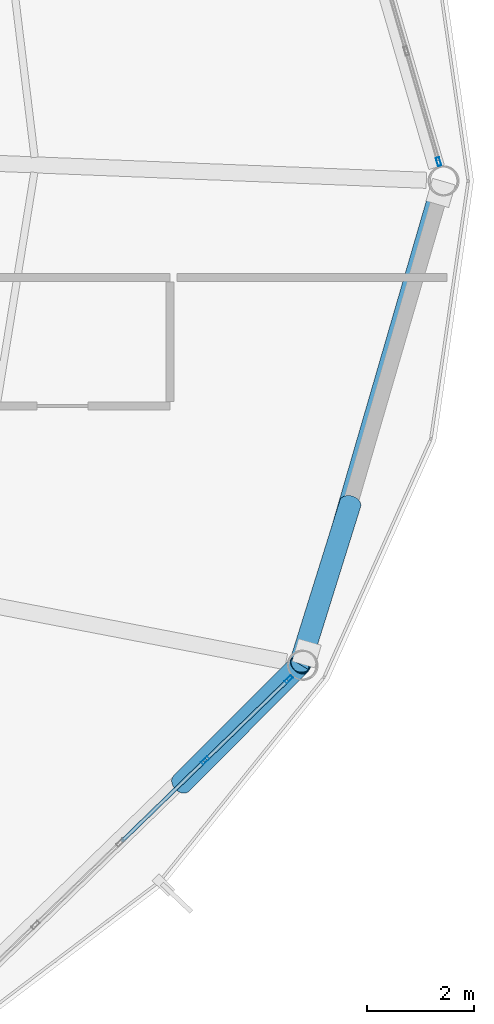
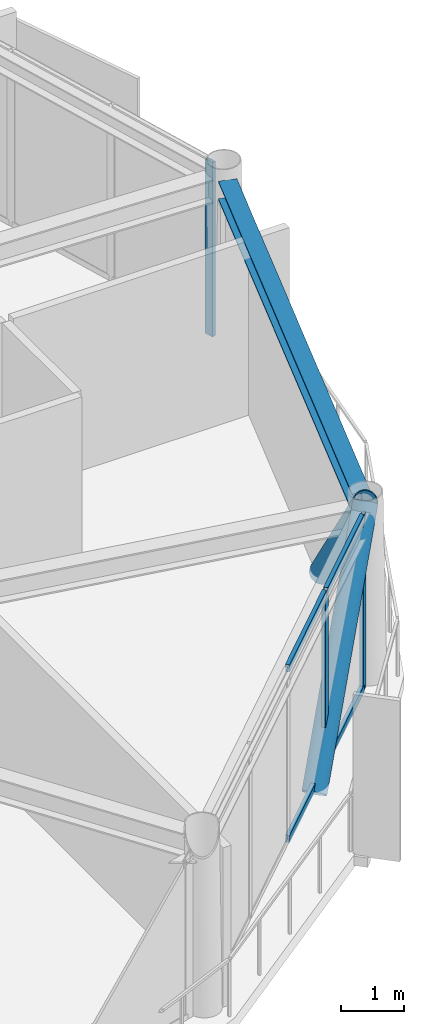
# One storey, part 16 of 27: 9 members, 1 beam, 2 elements without a shape of their own.
"""IFC4 building model written with IfcOpenShell, lengths in metres."""

from ifc_helpers import new_model, si_unit, direction, frame, origin, origin_2d, place, context, subcontext, project, spatial, hollow_rectangle, hollow_circle, i_section, extrude, material, layer, layer_set, material_profile, profile_set, type_object, element, aggregate, save


model = new_model("IFC4")

# Units and contexts
model_context = context("Model", 3, precision=1e-05, world=origin(), true_north=direction((0.0, 1.0)))
body_context = subcontext(model_context, "Body", "Model", "MODEL_VIEW")
ifc_project = project(units=[si_unit("LENGTHUNIT", "METRE"), si_unit("AREAUNIT", "SQUARE_METRE"), si_unit("VOLUMEUNIT", "CUBIC_METRE"), si_unit("PLANEANGLEUNIT", "RADIAN"), si_unit("MASSUNIT", "GRAM", prefix="KILO")], contexts=[model_context])

# Site, building, storey
site_placement = place(None, origin())
site = spatial("IfcSite", under=ifc_project, at=site_placement, CompositionType="ELEMENT")
building_placement = place(site_placement, origin())
building = spatial("IfcBuilding", under=site, at=building_placement, Name="Varnakorn Sky Granary", CompositionType="ELEMENT")
storey_placement = place(building_placement, frame((0.0, 0.0, 232.800048828125)))
storey = spatial("IfcBuildingStorey", under=building, at=storey_placement, Name="L59", CompositionType="ELEMENT", Elevation=232.800048828125)

# Beam
ifc_material_1 = material(Name="Steel S355JR", Category="steel")
ifc_material_profile_1 = material_profile(ifc_material_1, i_section(OverallWidth=0.300048828125, OverallDepth=0.360107421875, WebThickness=0.012451171875, FlangeThickness=0.0224609375, at=origin_2d()), Name="HE 360 B")
ifc_profile_set_1 = profile_set([ifc_material_profile_1], Name="Steel S355JR")
beam_type = type_object("IfcBeamType", Name="BM-SPD-Z5", PredefinedType="SPANDREL", material=ifc_profile_set_1)
beam_placement = place(storey_placement, frame((20.999755859375, -8.765380859375, 3.179931640625), z_axis=(0.279152699023, 0.960246723831, 0.0), x_axis=(-0.960246723831, 0.279152699023, 0.0)))
element("IfcBeam", 1, at=beam_placement, inside=storey, type_object=beam_type, Name="Perimeter Spandrel Ring Beam RB12 L59", PredefinedType="SPANDREL", context=body_context, shape_type="SweptSolid", body=[
    extrude(i_section(OverallWidth=0.300048828125, OverallDepth=0.360107421875, WebThickness=0.012451171875, FlangeThickness=0.0224609375, at=origin_2d()), origin(), (0.0, 0.0, 1.0), 8.86376953125),
])

# Curtain wall, member
ifc_material_2 = material(Name="Anodised Bronze Aluminium Alloy 6063-T6", Category="aluminium")
ifc_layer = layer(ifc_material_2, 0.169921875, Name="Anodised Bronze Aluminium Alloy 6063-T6")
ifc_layer_set = layer_set([ifc_layer], Name="Anodised Bronze Aluminium Alloy 6063-T6")
curtain_wall_type = type_object("IfcCurtainWallType", Name="CW-LAB-1", PredefinedType="USERDEFINED", material=ifc_layer_set)
curtain_wall_1_placement = place(storey_placement, origin())
curtain_wall_1 = element("IfcCurtainWall", 2, at=curtain_wall_1_placement, inside=storey, type_object=curtain_wall_type, Name="Unitised Curtain Wall CW5 CW-L59-B01", ObjectType="CURTAIN WALL", PredefinedType="USERDEFINED")
ifc_material_profile_2 = material_profile(ifc_material_2, hollow_rectangle(XDim=0.06494140625, YDim=0.159912109375, WallThickness=0.00341796875, at=origin_2d()), Name="ALU MULL 65x160")
ifc_profile_set_2 = profile_set([ifc_material_profile_2], Name="Anodised Bronze Aluminium Alloy 6063-T6")
member_type_1 = type_object("IfcMemberType", Name="CW-LAB-1-MULL", PredefinedType="MULLION", material=ifc_profile_set_2)
member_1_placement = place(storey_placement, frame((23.511962890625, 0.357177734375, 0.0), z_axis=(0.0, 0.0, 1.0), x_axis=(0.960128537246, 0.27955892396, 0.0)))
member_1 = element("IfcMember", 3, at=member_1_placement, type_object=member_type_1, Name="CW5 mullion 5", PredefinedType="MULLION", context=body_context, shape_type="SweptSolid", body=[
    extrude(hollow_rectangle(XDim=0.06494140625, YDim=0.159912109375, WallThickness=0.00341796875, at=origin_2d()), origin(), (0.0, 0.0, 1.0), 3.35986328125),
])
aggregate(curtain_wall_1, [member_1])

# Curtain wall, members
curtain_wall_2_placement = place(storey_placement, origin())
curtain_wall_2 = element("IfcCurtainWall", 4, at=curtain_wall_2_placement, inside=storey, type_object=curtain_wall_type, Name="Unitised Curtain Wall CW5 CW-L59-B11", ObjectType="CURTAIN WALL", PredefinedType="USERDEFINED")
member_2_placement = place(storey_placement, frame((20.7177734375, -9.29541015625, 0.0), z_axis=(0.0, 0.0, 1.0), x_axis=(0.696278954574, -0.717771284893, 0.0)))
member_2 = element("IfcMember", 5, at=member_2_placement, type_object=member_type_1, Name="CW5 mullion 1", PredefinedType="MULLION", context=body_context, shape_type="SweptSolid", body=[
    extrude(hollow_rectangle(XDim=0.06494140625, YDim=0.159912109375, WallThickness=0.00341796875, at=origin_2d()), origin(), (0.0, 0.0, 1.0), 3.35986328125),
])
member_3_placement = place(storey_placement, frame((19.158203125, -10.80859375, 0.0), z_axis=(0.0, 0.0, 1.0), x_axis=(0.696278954574, -0.717771284893, 0.0)))
member_3 = element("IfcMember", 6, at=member_3_placement, type_object=member_type_1, Name="CW5 mullion 2", PredefinedType="MULLION", context=body_context, shape_type="SweptSolid", body=[
    extrude(hollow_rectangle(XDim=0.06494140625, YDim=0.159912109375, WallThickness=0.00341796875, at=origin_2d()), origin(), (0.0, 0.0, 1.0), 3.35986328125),
])
ifc_material_profile_3 = material_profile(ifc_material_2, hollow_rectangle(XDim=0.070068359375, YDim=0.139892578125, WallThickness=0.00341796875, at=origin_2d()), Name="ALU TRAN 70x140")
ifc_profile_set_3 = profile_set([ifc_material_profile_3], Name="Anodised Bronze Aluminium Alloy 6063-T6")
member_type_2 = type_object("IfcMemberType", Name="CW-LAB-1-TRAN", PredefinedType="USERDEFINED", material=ifc_profile_set_3)
member_4_placement = place(storey_placement, frame((20.694580078125, -9.318115234375, 0.034912109375), z_axis=(-0.717739003955, -0.696312230398, 0.0), x_axis=(0.696312230398, -0.717739003955, 0.0)))
member_4 = element("IfcMember", 7, at=member_4_placement, type_object=member_type_2, Name="CW5 transom 1.1", ObjectType="TRANSOM", PredefinedType="USERDEFINED", context=body_context, shape_type="SweptSolid", body=[
    extrude(hollow_rectangle(XDim=0.070068359375, YDim=0.139892578125, WallThickness=0.00341796875, at=origin_2d()), origin(), (0.0, 0.0, 1.0), 2.10791015625),
])
member_5_placement = place(storey_placement, frame((20.694580078125, -9.318115234375, 3.324951171875), z_axis=(-0.717739003955, -0.696312230398, 0.0), x_axis=(0.696312230398, -0.717739003955, 0.0)))
member_5 = element("IfcMember", 8, at=member_5_placement, type_object=member_type_2, Name="CW5 transom 1.2", ObjectType="TRANSOM", PredefinedType="USERDEFINED", context=body_context, shape_type="SweptSolid", body=[
    extrude(hollow_rectangle(XDim=0.070068359375, YDim=0.139892578125, WallThickness=0.00341796875, at=origin_2d()), origin(), (0.0, 0.0, 1.0), 2.10791015625),
])
member_6_placement = place(storey_placement, frame((19.134765625, -10.8310546875, 0.034912109375), z_axis=(-0.717691342535, -0.696361355082, 0.0), x_axis=(0.696361355082, -0.717691342535, 0.0)))
member_6 = element("IfcMember", 9, at=member_6_placement, type_object=member_type_2, Name="CW5 transom 2.1", ObjectType="TRANSOM", PredefinedType="USERDEFINED", context=body_context, shape_type="SweptSolid", body=[
    extrude(hollow_rectangle(XDim=0.070068359375, YDim=0.139892578125, WallThickness=0.00341796875, at=origin_2d()), origin(), (0.0, 0.0, 1.0), 2.140380859375),
])
member_7_placement = place(storey_placement, frame((19.134765625, -10.8310546875, 3.324951171875), z_axis=(-0.717691342535, -0.696361355082, 0.0), x_axis=(0.696361355082, -0.717691342535, 0.0)))
member_7 = element("IfcMember", 10, at=member_7_placement, type_object=member_type_2, Name="CW5 transom 2.2", ObjectType="TRANSOM", PredefinedType="USERDEFINED", context=body_context, shape_type="SweptSolid", body=[
    extrude(hollow_rectangle(XDim=0.070068359375, YDim=0.139892578125, WallThickness=0.00341796875, at=origin_2d()), origin(), (0.0, 0.0, 1.0), 2.140380859375),
])
aggregate(curtain_wall_2, [member_2, member_3, member_4, member_5, member_6, member_7])

# Members
ifc_material_3 = material(Name="Steel S460M", Category="steel")
ifc_material_profile_4 = material_profile(ifc_material_3, hollow_circle(Radius=0.203125, WallThickness=0.01611328125, at=origin_2d()), Name="CHS 406.4x16")
ifc_profile_set_4 = profile_set([ifc_material_profile_4], Name="Steel S460M")
member_type_3 = type_object("IfcMemberType", Name="MB-DIAG-T4", PredefinedType="BRACE", material=ifc_profile_set_4)
member_8_placement = place(storey_placement, frame((18.7119140625, -11.24169921875, -0.130126953125), z_axis=(0.471831935583, 0.473548823209, 0.743724503161), x_axis=(-0.708389775885, 0.705821454351, 0.0)))
element("IfcMember", 11, at=member_8_placement, inside=storey, type_object=member_type_3, Name="Perimeter CHS Diagrid Brace DG11 L59", PredefinedType="BRACE", context=body_context, shape_type="SweptSolid", body=[
    extrude(hollow_circle(Radius=0.203125, WallThickness=0.01611328125, at=origin_2d()), origin(), (0.0, 0.0, 1.0), 4.692626953125),
])
member_9_placement = place(storey_placement, frame((21.86181640625, -6.0244140625, -0.130126953125), z_axis=(-0.199391427738, -0.638177415991, 0.743621304336), x_axis=(0.954496589458, -0.298221831382, 0.0)))
element("IfcMember", 12, at=member_9_placement, inside=storey, type_object=member_type_3, Name="Perimeter CHS Diagrid Brace DG12 L59", PredefinedType="BRACE", context=body_context, shape_type="SweptSolid", body=[
    extrude(hollow_circle(Radius=0.203125, WallThickness=0.01611328125, at=origin_2d()), origin(), (0.0, 0.0, 1.0), 4.693115234375),
])

save(model, "model.ifc")
